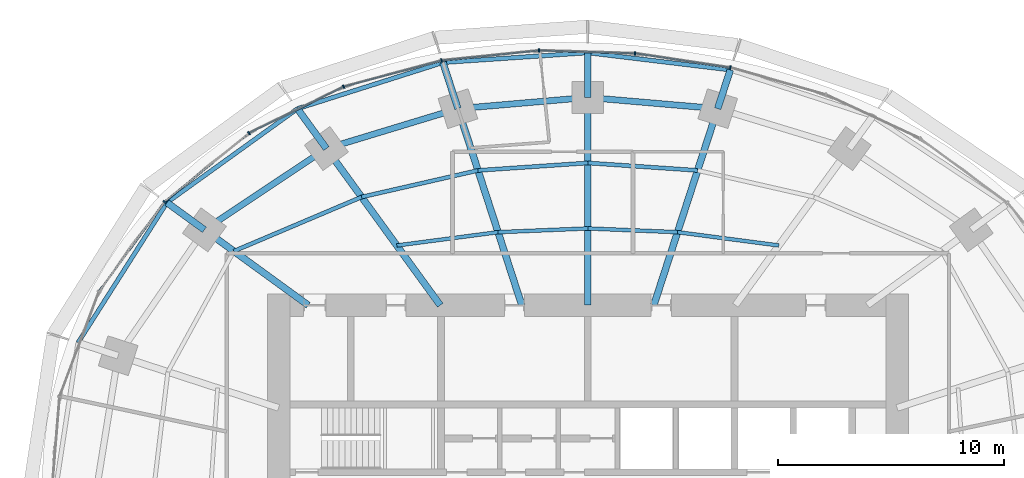
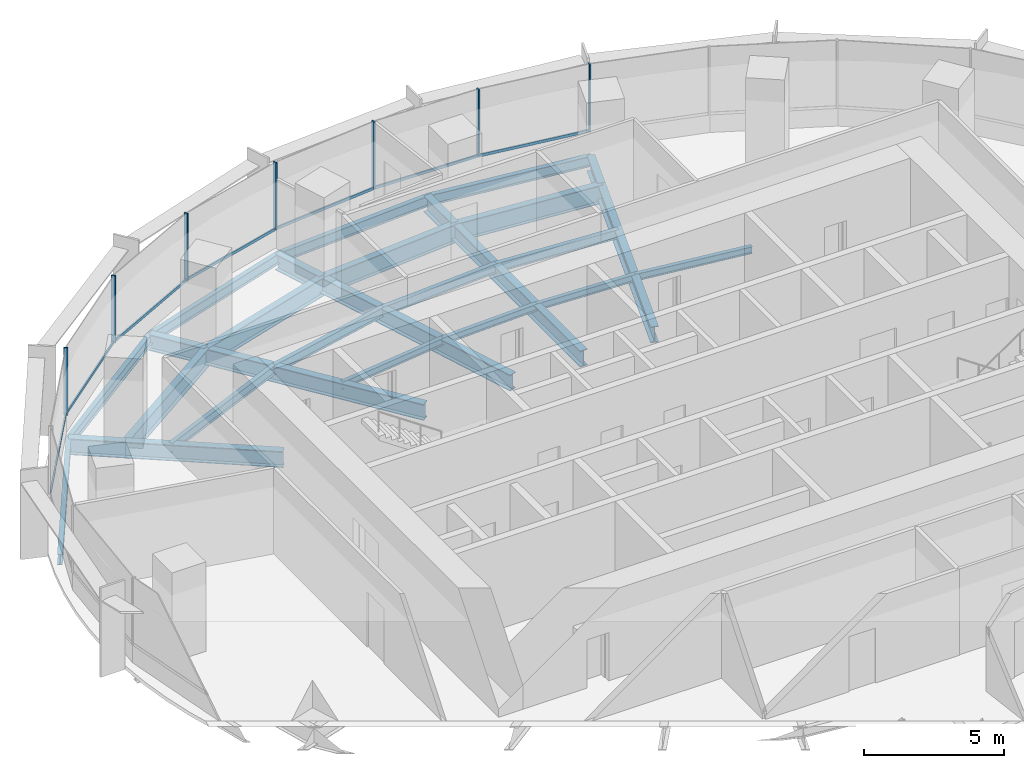
# One storey, part 7 of 15: 27 beams, 14 members, 2 elements without a shape of their own.
"""IFC4 building model written with IfcOpenShell, lengths in metres."""

from ifc_helpers import new_model, si_unit, direction, frame, origin, origin_2d, place, context, subcontext, project, spatial, rectangle, i_section, extrude, material, material_profile, profile_set, type_object, element, aggregate, save


model = new_model("IFC4")

# Units and contexts
model_context = context("Model", 3, precision=1e-05, world=origin(), true_north=direction((0.0, 1.0)))
body_context = subcontext(model_context, "Body", "Model", "MODEL_VIEW")
ifc_project = project(units=[si_unit("LENGTHUNIT", "METRE"), si_unit("AREAUNIT", "SQUARE_METRE"), si_unit("VOLUMEUNIT", "CUBIC_METRE"), si_unit("PLANEANGLEUNIT", "RADIAN"), si_unit("MASSUNIT", "GRAM", prefix="KILO")], contexts=[model_context])

# Site, building, storey
site_placement = place(None, origin())
site = spatial("IfcSite", under=ifc_project, at=site_placement, CompositionType="ELEMENT")
building_placement = place(site_placement, origin())
building = spatial("IfcBuilding", under=site, at=building_placement, Name="Marramba Exchange Tower", CompositionType="ELEMENT")
storey_placement = place(building_placement, frame((0.0, 0.0, 230.60009765625)))
storey = spatial("IfcBuildingStorey", under=building, at=storey_placement, Name="L56", CompositionType="ELEMENT", Elevation=230.60009765625)

# Beams
ifc_material_1 = material(Name="Steel AS/NZS 3679.2 grade 300", Category="steel")
ifc_material_profile_1 = material_profile(ifc_material_1, i_section(OverallWidth=0.300048828125, OverallDepth=0.699951171875, WebThickness=0.010009765625, FlangeThickness=0.031982421875, at=origin_2d()), Name="700WB173")
ifc_profile_set_1 = profile_set([ifc_material_profile_1], Name="Steel AS/NZS 3679.2 grade 300")
beam_type_1 = type_object("IfcBeamType", Name="Cantilever girder 700WB173", PredefinedType="BEAM", material=ifc_profile_set_1)
beam_1_placement = place(storey_placement, frame((5.75390625, 17.70849609375, -0.510009765625), z_axis=(0.308960771946, 0.951074782232, 0.0), x_axis=(-0.951074782232, 0.308960771946, 0.0)))
element("IfcBeam", 1, at=beam_1_placement, inside=storey, type_object=beam_type_1, Name="Cantilever girder L56 TC05", PredefinedType="BEAM", context=body_context, shape_type="SweptSolid", body=[
    extrude(i_section(OverallWidth=0.300048828125, OverallDepth=0.699951171875, WebThickness=0.010009765625, FlangeThickness=0.031982421875, at=origin_2d()), origin(), (0.0, 0.0, 1.0), 1.806396484375),
])
beam_2_placement = place(storey_placement, frame((0.0, 18.2041015625, -0.510009765625), z_axis=(0.0, 1.0, 0.0), x_axis=(-1.0, 0.0, 0.0)))
element("IfcBeam", 2, at=beam_2_placement, inside=storey, type_object=beam_type_1, Name="Cantilever girder L56 TC06", PredefinedType="BEAM", context=body_context, shape_type="SweptSolid", body=[
    extrude(i_section(OverallWidth=0.300048828125, OverallDepth=0.699951171875, WebThickness=0.010009765625, FlangeThickness=0.031982421875, at=origin_2d()), origin(), (0.0, 0.0, 1.0), 1.982177734375),
])
beam_3_placement = place(storey_placement, frame((-5.75390625, 17.70849609375, -0.510009765625), z_axis=(-0.308998798068, 0.951062428441, 0.0), x_axis=(-0.951062428441, -0.308998798068, 0.0)))
element("IfcBeam", 3, at=beam_3_placement, inside=storey, type_object=beam_type_1, Name="Cantilever girder L56 TC07", PredefinedType="BEAM", context=body_context, shape_type="SweptSolid", body=[
    extrude(i_section(OverallWidth=0.300048828125, OverallDepth=0.699951171875, WebThickness=0.010009765625, FlangeThickness=0.031982421875, at=origin_2d()), origin(), (0.0, 0.0, 1.0), 2.150634765625),
])
beam_4_placement = place(storey_placement, frame((-11.581298828125, 15.9404296875, -0.510009765625), z_axis=(-0.587832433352, 0.808982713226, 0.0), x_axis=(-0.808982713226, -0.587832433352, 0.0)))
element("IfcBeam", 4, at=beam_4_placement, inside=storey, type_object=beam_type_1, Name="Cantilever girder L56 TC08", PredefinedType="BEAM", context=body_context, shape_type="SweptSolid", body=[
    extrude(i_section(OverallWidth=0.300048828125, OverallDepth=0.699951171875, WebThickness=0.010009765625, FlangeThickness=0.031982421875, at=origin_2d()), origin(), (0.0, 0.0, 1.0), 2.1826171875),
])
beam_5_placement = place(storey_placement, frame((-16.98583984375, 12.3408203125, -0.510009765625), z_axis=(-0.808962446125, 0.587860324192, 0.0), x_axis=(-0.587860324192, -0.808962446125, 0.0)))
element("IfcBeam", 5, at=beam_5_placement, inside=storey, type_object=beam_type_1, Name="Cantilever girder L56 TC09", PredefinedType="BEAM", context=body_context, shape_type="SweptSolid", body=[
    extrude(i_section(OverallWidth=0.300048828125, OverallDepth=0.699951171875, WebThickness=0.010009765625, FlangeThickness=0.031982421875, at=origin_2d()), origin(), (0.0, 0.0, 1.0), 2.051513671875),
])
ifc_material_2 = material(Name="Steel AS/NZS 3679.1 grade 300", Category="steel")
ifc_material_profile_2 = material_profile(ifc_material_2, i_section(OverallWidth=0.166015625, OverallDepth=0.306884765625, WebThickness=0.006591796875, FlangeThickness=0.01171875, FilletRadius=0.011474609375, at=origin_2d()), Name="310UB46.2")
ifc_profile_set_2 = profile_set([ifc_material_profile_2], Name="Steel AS/NZS 3679.1 grade 300")
beam_type_2 = type_object("IfcBeamType", Name="Floor joist 310UB46.2", PredefinedType="JOIST", material=ifc_profile_set_2)
beam_6_placement = place(storey_placement, frame((8.4619140625, 11.646728515625, -0.3134765625), z_axis=(-0.991480538255, 0.130254912618, 0.0), x_axis=(-0.130254912618, -0.991480538255, 0.0)))
element("IfcBeam", 6, at=beam_6_placement, inside=storey, type_object=beam_type_2, Name="Joist L56 bay 04 row 1", PredefinedType="JOIST", context=body_context, shape_type="SweptSolid", body=[
    extrude(i_section(OverallWidth=0.166015625, OverallDepth=0.306884765625, WebThickness=0.006591796875, FlangeThickness=0.01171875, FilletRadius=0.011474609375, at=origin_2d()), origin(), (0.0, 0.0, 1.0), 4.524658203125),
])
for number, where, z_axis, x_axis, name in (
    (7, (3.975830078125, 12.236083984375, -0.3134765625), (-0.999137002892, 0.041536122257, 0.0), (-0.041536122257, -0.999137002892, 0.0), "Joist L56 bay 05 row 1"),
    (8, (0.0, 12.4013671875, -0.3134765625), (-0.999137002892, -0.041536122257, 0.0), (0.041536122257, -0.999137002892, 0.0), "Joist L56 bay 06 row 1"),
):
    element("IfcBeam", number, at=place(storey_placement, frame(where, z_axis=z_axis, x_axis=x_axis)), inside=storey, type_object=beam_type_2, Name=name, PredefinedType="JOIST", context=body_context, shape_type="SweptSolid", body=[
        extrude(i_section(OverallWidth=0.166015625, OverallDepth=0.306884765625, WebThickness=0.006591796875, FlangeThickness=0.01171875, FilletRadius=0.011474609375, at=origin_2d()), origin(), (0.0, 0.0, 1.0), 3.979248046875),
    ])
beam_7_placement = place(storey_placement, frame((-3.975830078125, 12.236083984375, -0.3134765625), z_axis=(-0.991480538255, -0.130254912618, 0.0), x_axis=(0.130254912618, -0.991480538255, 0.0)))
element("IfcBeam", 9, at=beam_7_placement, inside=storey, type_object=beam_type_2, Name="Joist L56 bay 07 row 1", PredefinedType="JOIST", context=body_context, shape_type="SweptSolid", body=[
    extrude(i_section(OverallWidth=0.166015625, OverallDepth=0.306884765625, WebThickness=0.006591796875, FlangeThickness=0.01171875, FilletRadius=0.011474609375, at=origin_2d()), origin(), (0.0, 0.0, 1.0), 4.524658203125),
])
ifc_material_profile_3 = material_profile(ifc_material_2, i_section(OverallWidth=0.177978515625, OverallDepth=0.406005859375, WebThickness=0.0078125, FlangeThickness=0.0126953125, FilletRadius=0.011474609375, at=origin_2d()), Name="410UB59.7")
ifc_profile_set_3 = profile_set([ifc_material_profile_3], Name="Steel AS/NZS 3679.1 grade 300")
beam_type_3 = type_object("IfcBeamType", Name="Floor joist 410UB59.7", PredefinedType="JOIST", material=ifc_profile_set_3)
for number, where, z_axis, x_axis, name in (
    (10, (4.86474609375, 14.972412109375, -0.363037109375), (-0.997702652202, 0.067745241816, 0.0), (-0.067745241816, -0.997702652202, 0.0), "Joist L56 bay 05 row 2"),
    (11, (0.0, 15.302734375, -0.363037109375), (-0.997702652202, -0.067745241816, 0.0), (0.067745241816, -0.997702652202, 0.0), "Joist L56 bay 06 row 2"),
):
    element("IfcBeam", number, at=place(storey_placement, frame(where, z_axis=z_axis, x_axis=x_axis)), inside=storey, type_object=beam_type_3, Name=name, PredefinedType="JOIST", context=body_context, shape_type="SweptSolid", body=[
        extrude(i_section(OverallWidth=0.177978515625, OverallDepth=0.406005859375, WebThickness=0.0078125, FlangeThickness=0.0126953125, FilletRadius=0.011474609375, at=origin_2d()), origin(), (0.0, 0.0, 1.0), 4.8759765625),
    ])
beam_8_placement = place(storey_placement, frame((-4.86474609375, 14.972412109375, -0.363037109375), z_axis=(-0.974859652292, -0.222819788916, 0.0), x_axis=(0.222819788916, -0.974859652292, 0.0)))
element("IfcBeam", 12, at=beam_8_placement, inside=storey, type_object=beam_type_3, Name="Joist L56 bay 07 row 2", PredefinedType="JOIST", context=body_context, shape_type="SweptSolid", body=[
    extrude(i_section(OverallWidth=0.177978515625, OverallDepth=0.406005859375, WebThickness=0.0078125, FlangeThickness=0.0126953125, FilletRadius=0.011474609375, at=origin_2d()), origin(), (0.0, 0.0, 1.0), 5.2900390625),
])
beam_9_placement = place(storey_placement, frame((-10.021728515625, 13.793701171875, -0.363037109375), z_axis=(-0.920674336375, -0.390331610738, 0.0), x_axis=(0.390331610738, -0.920674336375, 0.0)))
element("IfcBeam", 13, at=beam_9_placement, inside=storey, type_object=beam_type_3, Name="Joist L56 bay 08 row 2", PredefinedType="JOIST", context=body_context, shape_type="SweptSolid", body=[
    extrude(i_section(OverallWidth=0.177978515625, OverallDepth=0.406005859375, WebThickness=0.0078125, FlangeThickness=0.0126953125, FilletRadius=0.011474609375, at=origin_2d()), origin(), (0.0, 0.0, 1.0), 6.1484375),
])

# Curtain wall, members
ifc_material_3 = material(Name="Aluminium framing, bronze anodised", Category="aluminium")
curtain_wall_type = type_object("IfcCurtainWallType", Name="Office ribbon curtain wall", PredefinedType="USERDEFINED", material=ifc_material_3)
curtain_wall_1_placement = place(storey_placement, origin())
curtain_wall_1 = element("IfcCurtainWall", 14, at=curtain_wall_1_placement, inside=storey, type_object=curtain_wall_type, Name="Curtain wall CW4 L56 F06-F10", ObjectType="RIBBON CURTAIN WALL", PredefinedType="USERDEFINED")
ifc_material_4 = material(Name="Aluminium mullion, bronze anodised", Category="aluminium")
ifc_material_profile_4 = material_profile(ifc_material_4, rectangle(XDim=0.159912109375, YDim=0.06005859375, at=origin_2d()), Name="CW4 mullion 60x160")
ifc_profile_set_4 = profile_set([ifc_material_profile_4], Name="Aluminium mullion, bronze anodised")
member_type_1 = type_object("IfcMemberType", Name="Office ribbon curtain wall mullion", PredefinedType="MULLION", material=ifc_profile_set_4)
member_1_placement = place(storey_placement, frame((6.313232421875, 19.526123046875, 0.7998046875), z_axis=(0.0, 0.0, 1.0), x_axis=(-0.148794988635, -0.988868065698, 0.0)))
member_1 = element("IfcMember", 15, at=member_1_placement, type_object=member_type_1, Name="CW4 mullion 1", PredefinedType="MULLION", context=body_context, shape_type="SweptSolid", body=[
    extrude(rectangle(XDim=0.159912109375, YDim=0.06005859375, at=origin_2d()), origin(), (0.0, 0.0, 1.0), 2.940185546875),
])
member_2_placement = place(storey_placement, frame((2.088623046875, 20.158203125, 0.7998046875), z_axis=(0.0, 0.0, 1.0), x_axis=(-0.03039385249, -0.999538000143, 0.0)))
member_2 = element("IfcMember", 16, at=member_2_placement, type_object=member_type_1, Name="CW4 mullion 1", PredefinedType="MULLION", context=body_context, shape_type="SweptSolid", body=[
    extrude(rectangle(XDim=0.159912109375, YDim=0.06005859375, at=origin_2d()), origin(), (0.0, 0.0, 1.0), 2.940185546875),
])
member_3_placement = place(storey_placement, frame((-2.162109375, 20.28369140625, 0.7998046875), z_axis=(0.0, 0.0, 1.0), x_axis=(0.100862673507, -0.994900357369, 0.0)))
member_3 = element("IfcMember", 17, at=member_3_placement, type_object=member_type_1, Name="CW4 mullion 1", PredefinedType="MULLION", context=body_context, shape_type="SweptSolid", body=[
    extrude(rectangle(XDim=0.159912109375, YDim=0.06005859375, at=origin_2d()), origin(), (0.0, 0.0, 1.0), 2.940185546875),
])
member_4_placement = place(storey_placement, frame((-6.478271484375, 19.84130859375, 0.7998046875), z_axis=(0.0, 0.0, 1.0), x_axis=(0.257641223778, -0.966240653155, 0.0)))
member_4 = element("IfcMember", 18, at=member_4_placement, type_object=member_type_1, Name="CW4 mullion 1", PredefinedType="MULLION", context=body_context, shape_type="SweptSolid", body=[
    extrude(rectangle(XDim=0.159912109375, YDim=0.06005859375, at=origin_2d()), origin(), (0.0, 0.0, 1.0), 2.940185546875),
])

curtain_wall_2_placement = place(storey_placement, origin())
curtain_wall_2 = element("IfcCurtainWall", 19, at=curtain_wall_2_placement, inside=storey, type_object=curtain_wall_type, Name="Curtain wall CW4 L56 F11-F15", ObjectType="RIBBON CURTAIN WALL", PredefinedType="USERDEFINED")
member_5_placement = place(storey_placement, frame((-10.818359375, 18.677978515625, 0.7998046875), z_axis=(0.0, 0.0, 1.0), x_axis=(0.438972456661, -0.898500518805, 0.0)))
member_5 = element("IfcMember", 20, at=member_5_placement, type_object=member_type_1, Name="CW4 mullion 1", PredefinedType="MULLION", context=body_context, shape_type="SweptSolid", body=[
    extrude(rectangle(XDim=0.159912109375, YDim=0.06005859375, at=origin_2d()), origin(), (0.0, 0.0, 1.0), 2.940185546875),
])
member_6_placement = place(storey_placement, frame((-15.008056640625, 16.62353515625, 0.7998046875), z_axis=(0.0, 0.0, 1.0), x_axis=(0.630200830464, -0.776432169145, 0.0)))
member_6 = element("IfcMember", 21, at=member_6_placement, type_object=member_type_1, Name="CW4 mullion 1", PredefinedType="MULLION", context=body_context, shape_type="SweptSolid", body=[
    extrude(rectangle(XDim=0.159912109375, YDim=0.06005859375, at=origin_2d()), origin(), (0.0, 0.0, 1.0), 2.940185546875),
])
member_7_placement = place(storey_placement, frame((-18.744140625, 13.581298828125, 0.7998046875), z_axis=(0.0, 0.0, 1.0), x_axis=(0.805965197024, -0.591962922138, 0.0)))
member_7 = element("IfcMember", 22, at=member_7_placement, type_object=member_type_1, Name="CW4 mullion 1", PredefinedType="MULLION", context=body_context, shape_type="SweptSolid", body=[
    extrude(rectangle(XDim=0.159912109375, YDim=0.06005859375, at=origin_2d()), origin(), (0.0, 0.0, 1.0), 2.940185546875),
])

# Member
ifc_material_5 = material(Name="Aluminium transom, bronze anodised", Category="aluminium")
ifc_material_profile_5 = material_profile(ifc_material_5, rectangle(XDim=0.06005859375, YDim=0.1201171875, at=origin_2d()), Name="CW4 transom 60x120")
ifc_profile_set_5 = profile_set([ifc_material_profile_5], Name="Aluminium transom, bronze anodised")
member_type_2 = type_object("IfcMemberType", Name="Office ribbon curtain wall transom", PredefinedType="USERDEFINED", material=ifc_profile_set_5)
member_8_placement = place(storey_placement, frame((6.28369140625, 19.53076171875, 0.829833984375), z_axis=(-0.988868222508, 0.148793946493, 0.0), x_axis=(-0.148793946493, -0.988868222508, 0.0)))
member_8 = element("IfcMember", 23, at=member_8_placement, type_object=member_type_2, Name="CW4 sill transom", ObjectType="TRANSOM", PredefinedType="USERDEFINED", context=body_context, shape_type="SweptSolid", body=[
    extrude(rectangle(XDim=0.06005859375, YDim=0.1201171875, at=origin_2d()), origin(), (0.0, 0.0, 1.0), 4.2119140625),
])

member_9_placement = place(storey_placement, frame((2.05859375, 20.1591796875, 0.829833984375), z_axis=(-0.99953796835, 0.030394898024, 0.0), x_axis=(-0.030394898024, -0.99953796835, 0.0)))
member_9 = element("IfcMember", 24, at=member_9_placement, type_object=member_type_2, Name="CW4 sill transom", ObjectType="TRANSOM", PredefinedType="USERDEFINED", context=body_context, shape_type="SweptSolid", body=[
    extrude(rectangle(XDim=0.06005859375, YDim=0.1201171875, at=origin_2d()), origin(), (0.0, 0.0, 1.0), 4.19287109375),
])

member_10_placement = place(storey_placement, frame((-2.19189453125, 20.280517578125, 0.829833984375), z_axis=(-0.99489954864, -0.100870650418, 0.0), x_axis=(0.100870650418, -0.99489954864, 0.0)))
member_10 = element("IfcMember", 25, at=member_10_placement, type_object=member_type_2, Name="CW4 sill transom", ObjectType="TRANSOM", PredefinedType="USERDEFINED", context=body_context, shape_type="SweptSolid", body=[
    extrude(rectangle(XDim=0.06005859375, YDim=0.1201171875, at=origin_2d()), origin(), (0.0, 0.0, 1.0), 4.279052734375),
])

member_11_placement = place(storey_placement, frame((-6.50732421875, 19.83349609375, 0.829833984375), z_axis=(-0.966237681407, -0.25765236857, 0.0), x_axis=(0.25765236857, -0.966237681407, 0.0)))
member_11 = element("IfcMember", 26, at=member_11_placement, type_object=member_type_2, Name="CW4 sill transom", ObjectType="TRANSOM", PredefinedType="USERDEFINED", context=body_context, shape_type="SweptSolid", body=[
    extrude(rectangle(XDim=0.06005859375, YDim=0.1201171875, at=origin_2d()), origin(), (0.0, 0.0, 1.0), 4.43359375),
])

aggregate(curtain_wall_1, [member_1, member_8, member_2, member_9, member_3, member_10, member_4, member_11])

member_12_placement = place(storey_placement, frame((-10.84521484375, 18.664794921875, 0.829833984375), z_axis=(-0.898501418486, -0.438970615165, 0.0), x_axis=(0.438970615165, -0.898501418486, 0.0)))
member_12 = element("IfcMember", 27, at=member_12_placement, type_object=member_type_2, Name="CW4 sill transom", ObjectType="TRANSOM", PredefinedType="USERDEFINED", context=body_context, shape_type="SweptSolid", body=[
    extrude(rectangle(XDim=0.06005859375, YDim=0.1201171875, at=origin_2d()), origin(), (0.0, 0.0, 1.0), 4.607177734375),
])

member_13_placement = place(storey_placement, frame((-15.031494140625, 16.6044921875, 0.829833984375), z_axis=(-0.776424623019, -0.630210127473, 0.0), x_axis=(0.630210127473, -0.776424623019, 0.0)))
member_13 = element("IfcMember", 28, at=member_13_placement, type_object=member_type_2, Name="CW4 sill transom", ObjectType="TRANSOM", PredefinedType="USERDEFINED", context=body_context, shape_type="SweptSolid", body=[
    extrude(rectangle(XDim=0.06005859375, YDim=0.1201171875, at=origin_2d()), origin(), (0.0, 0.0, 1.0), 4.7587890625),
])

member_14_placement = place(storey_placement, frame((-18.761962890625, 13.55712890625, 0.829833984375), z_axis=(-0.591957380483, -0.805969267213, 0.0), x_axis=(0.805969267213, -0.591957380483, 0.0)))
member_14 = element("IfcMember", 29, at=member_14_placement, type_object=member_type_2, Name="CW4 sill transom", ObjectType="TRANSOM", PredefinedType="USERDEFINED", context=body_context, shape_type="SweptSolid", body=[
    extrude(rectangle(XDim=0.06005859375, YDim=0.1201171875, at=origin_2d()), origin(), (0.0, 0.0, 1.0), 4.865478515625),
])

aggregate(curtain_wall_2, [member_5, member_12, member_6, member_13, member_7, member_14])

# Beams
ifc_material_profile_6 = material_profile(ifc_material_1, i_section(OverallWidth=0.300048828125, OverallDepth=0.699951171875, WebThickness=0.010009765625, FlangeThickness=0.031982421875, at=origin_2d()), Name="700WB173")
ifc_profile_set_6 = profile_set([ifc_material_profile_6], Name="Steel AS/NZS 3679.2 grade 300")
beam_type_4 = type_object("IfcBeamType", Name="Radial girder 700WB173", PredefinedType="BEAM", material=ifc_profile_set_6)
beam_10_placement = place(storey_placement, frame((2.92431640625, 9.0, -0.510009765625), z_axis=(0.309019754162, 0.951055619582, 0.0), x_axis=(-0.951055619582, 0.309019754162, 0.0)))
element("IfcBeam", 30, at=beam_10_placement, inside=storey, type_object=beam_type_4, Name="Radial girder L56 TC05", PredefinedType="BEAM", context=body_context, shape_type="SweptSolid", body=[
    extrude(i_section(OverallWidth=0.300048828125, OverallDepth=0.699951171875, WebThickness=0.010009765625, FlangeThickness=0.031982421875, at=origin_2d()), origin(), (0.0, 0.0, 1.0), 9.15673828125),
])
beam_11_placement = place(storey_placement, frame((0.0, 9.0, -0.510009765625), z_axis=(0.0, 1.0, 0.0), x_axis=(-1.0, 0.0, 0.0)))
element("IfcBeam", 31, at=beam_11_placement, inside=storey, type_object=beam_type_4, Name="Radial girder L56 TC06", PredefinedType="BEAM", context=body_context, shape_type="SweptSolid", body=[
    extrude(i_section(OverallWidth=0.300048828125, OverallDepth=0.699951171875, WebThickness=0.010009765625, FlangeThickness=0.031982421875, at=origin_2d()), origin(), (0.0, 0.0, 1.0), 9.2041015625),
])
beam_12_placement = place(storey_placement, frame((-2.92431640625, 9.0, -0.510009765625), z_axis=(-0.309019754162, 0.951055619582, 0.0), x_axis=(-0.951055619582, -0.309019754162, 0.0)))
element("IfcBeam", 32, at=beam_12_placement, inside=storey, type_object=beam_type_4, Name="Radial girder L56 TC07", PredefinedType="BEAM", context=body_context, shape_type="SweptSolid", body=[
    extrude(i_section(OverallWidth=0.300048828125, OverallDepth=0.699951171875, WebThickness=0.010009765625, FlangeThickness=0.031982421875, at=origin_2d()), origin(), (0.0, 0.0, 1.0), 9.15673828125),
])
beam_13_placement = place(storey_placement, frame((-6.538818359375, 9.0, -0.510009765625), z_axis=(-0.587782439969, 0.80901903764, 0.0), x_axis=(-0.80901903764, -0.587782439969, 0.0)))
element("IfcBeam", 33, at=beam_13_placement, inside=storey, type_object=beam_type_4, Name="Radial girder L56 TC08", PredefinedType="BEAM", context=body_context, shape_type="SweptSolid", body=[
    extrude(i_section(OverallWidth=0.300048828125, OverallDepth=0.699951171875, WebThickness=0.010009765625, FlangeThickness=0.031982421875, at=origin_2d()), origin(), (0.0, 0.0, 1.0), 8.578857421875),
])
beam_14_placement = place(storey_placement, frame((-12.387451171875, 9.0, -0.510009765625), z_axis=(-0.809025746925, 0.587773205252, 0.0), x_axis=(-0.587773205252, -0.809025746925, 0.0)))
element("IfcBeam", 34, at=beam_14_placement, inside=storey, type_object=beam_type_4, Name="Radial girder L56 TC09", PredefinedType="BEAM", context=body_context, shape_type="SweptSolid", body=[
    extrude(i_section(OverallWidth=0.300048828125, OverallDepth=0.699951171875, WebThickness=0.010009765625, FlangeThickness=0.031982421875, at=origin_2d()), origin(), (0.0, 0.0, 1.0), 5.683837890625),
])
ifc_material_profile_7 = material_profile(ifc_material_1, i_section(OverallWidth=0.27490234375, OverallDepth=0.800048828125, WebThickness=0.010009765625, FlangeThickness=0.02490234375, at=origin_2d()), Name="800WB168")
ifc_profile_set_7 = profile_set([ifc_material_profile_7], Name="Steel AS/NZS 3679.2 grade 300")
beam_type_5 = type_object("IfcBeamType", Name="Ring beam 800WB168", PredefinedType="SPANDREL", material=ifc_profile_set_7)
for number, where, z_axis, x_axis, name in (
    (35, (5.75390625, 17.70849609375, -0.56005859375), (-0.996311003275, 0.085815993578, 0.0), (-0.085815993578, -0.996311003275, 0.0), "Ring beam L56 TC05-TC06"),
    (36, (0.0, 18.2041015625, -0.56005859375), (-0.996311003275, -0.085815993578, 0.0), (0.085815993578, -0.996311003275, 0.0), "Ring beam L56 TC06-TC07"),
):
    element("IfcBeam", number, at=place(storey_placement, frame(where, z_axis=z_axis, x_axis=x_axis)), inside=storey, type_object=beam_type_5, Name=name, PredefinedType="SPANDREL", context=body_context, shape_type="SweptSolid", body=[
        extrude(i_section(OverallWidth=0.27490234375, OverallDepth=0.800048828125, WebThickness=0.010009765625, FlangeThickness=0.02490234375, at=origin_2d()), origin(), (0.0, 0.0, 1.0), 5.775146484375),
    ])
beam_15_placement = place(storey_placement, frame((-5.75390625, 17.70849609375, -0.56005859375), z_axis=(-0.956924542524, -0.290336735387, 0.0), x_axis=(0.290336735387, -0.956924542524, 0.0)))
element("IfcBeam", 37, at=beam_15_placement, inside=storey, type_object=beam_type_5, Name="Ring beam L56 TC07-TC08", PredefinedType="SPANDREL", context=body_context, shape_type="SweptSolid", body=[
    extrude(i_section(OverallWidth=0.27490234375, OverallDepth=0.800048828125, WebThickness=0.010009765625, FlangeThickness=0.02490234375, at=origin_2d()), origin(), (0.0, 0.0, 1.0), 6.089599609375),
])
beam_16_placement = place(storey_placement, frame((-11.581298828125, 15.9404296875, -0.56005859375), z_axis=(-0.832293151443, -0.554335737673, 0.0), x_axis=(0.554335737673, -0.832293151443, 0.0)))
element("IfcBeam", 38, at=beam_16_placement, inside=storey, type_object=beam_type_5, Name="Ring beam L56 TC08-TC09", PredefinedType="SPANDREL", context=body_context, shape_type="SweptSolid", body=[
    extrude(i_section(OverallWidth=0.27490234375, OverallDepth=0.800048828125, WebThickness=0.010009765625, FlangeThickness=0.02490234375, at=origin_2d()), origin(), (0.0, 0.0, 1.0), 6.49365234375),
])
ifc_material_profile_8 = material_profile(ifc_material_2, i_section(OverallWidth=0.19091796875, OverallDepth=0.4599609375, WebThickness=0.010009765625, FlangeThickness=0.01611328125, FilletRadius=0.011474609375, at=origin_2d()), Name="460UB82.1")
ifc_profile_set_8 = profile_set([ifc_material_profile_8], Name="Steel AS/NZS 3679.1 grade 300")
beam_type_6 = type_object("IfcBeamType", Name="Slab edge beam 460UB82.1", PredefinedType="SPANDREL", material=ifc_profile_set_8)
beam_17_placement = place(storey_placement, frame((6.31201171875, 19.426513671875, -0.39013671875), z_axis=(-0.992833525914, 0.119505605811, 0.0), x_axis=(-0.119505605811, -0.992833525914, 0.0)))
element("IfcBeam", 39, at=beam_17_placement, inside=storey, type_object=beam_type_6, Name="Slab edge beam L56 TC05-TC06", PredefinedType="SPANDREL", context=body_context, shape_type="SweptSolid", body=[
    extrude(i_section(OverallWidth=0.19091796875, OverallDepth=0.4599609375, WebThickness=0.010009765625, FlangeThickness=0.01611328125, FilletRadius=0.011474609375, at=origin_2d()), origin(), (0.0, 0.0, 1.0), 6.357666015625),
])
beam_18_placement = place(storey_placement, frame((0.0, 20.186279296875, -0.39013671875), z_axis=(-0.997738737775, -0.06721168903, 0.0), x_axis=(0.06721168903, -0.997738737775, 0.0)))
element("IfcBeam", 40, at=beam_18_placement, inside=storey, type_object=beam_type_6, Name="Slab edge beam L56 TC06-TC07", PredefinedType="SPANDREL", context=body_context, shape_type="SweptSolid", body=[
    extrude(i_section(OverallWidth=0.19091796875, OverallDepth=0.4599609375, WebThickness=0.010009765625, FlangeThickness=0.01611328125, FilletRadius=0.011474609375, at=origin_2d()), origin(), (0.0, 0.0, 1.0), 6.43310546875),
])
beam_19_placement = place(storey_placement, frame((-6.41845703125, 19.75390625, -0.39013671875), z_axis=(-0.953057484675, -0.302789416766, 0.0), x_axis=(0.302789416766, -0.953057484675, 0.0)))
element("IfcBeam", 41, at=beam_19_placement, inside=storey, type_object=beam_type_6, Name="Slab edge beam L56 TC07-TC08", PredefinedType="SPANDREL", context=body_context, shape_type="SweptSolid", body=[
    extrude(i_section(OverallWidth=0.19091796875, OverallDepth=0.4599609375, WebThickness=0.010009765625, FlangeThickness=0.01611328125, FilletRadius=0.011474609375, at=origin_2d()), origin(), (0.0, 0.0, 1.0), 6.76318359375),
])
beam_20_placement = place(storey_placement, frame((-12.8642578125, 17.7060546875, -0.39013671875), z_axis=(-0.811755352788, -0.583997643163, 0.0), x_axis=(0.583997643163, -0.811755352788, 0.0)))
element("IfcBeam", 42, at=beam_20_placement, inside=storey, type_object=beam_type_6, Name="Slab edge beam L56 TC08-TC09", PredefinedType="SPANDREL", context=body_context, shape_type="SweptSolid", body=[
    extrude(i_section(OverallWidth=0.19091796875, OverallDepth=0.4599609375, WebThickness=0.010009765625, FlangeThickness=0.01611328125, FilletRadius=0.011474609375, at=origin_2d()), origin(), (0.0, 0.0, 1.0), 7.121826171875),
])
beam_21_placement = place(storey_placement, frame((-18.6455078125, 13.546875, -0.39013671875), z_axis=(-0.535794396634, -0.844348485245, 0.0), x_axis=(0.844348485245, -0.535794396634, 0.0)))
element("IfcBeam", 43, at=beam_21_placement, inside=storey, type_object=beam_type_6, Name="Slab edge beam L56 TC09-TC10", PredefinedType="SPANDREL", context=body_context, shape_type="SweptSolid", body=[
    extrude(i_section(OverallWidth=0.19091796875, OverallDepth=0.4599609375, WebThickness=0.010009765625, FlangeThickness=0.01611328125, FilletRadius=0.011474609375, at=origin_2d()), origin(), (0.0, 0.0, 1.0), 7.35302734375),
])

save(model, "model.ifc")
